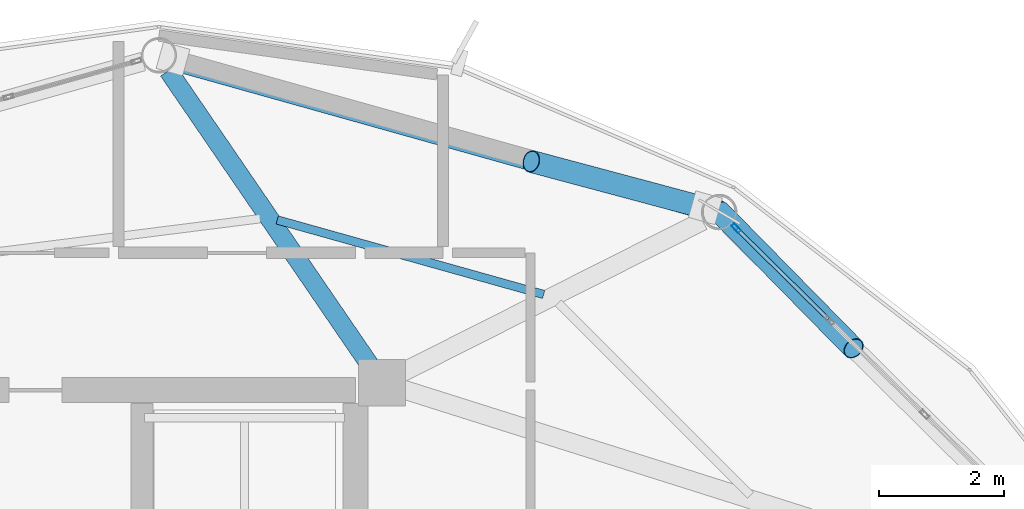
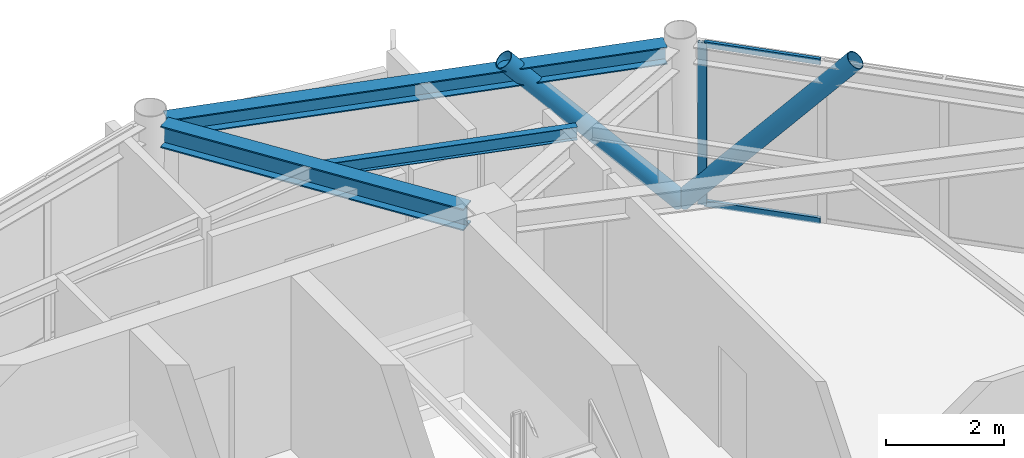
# One storey, part 18 of 26: 5 members, 3 beams, 1 element without a shape of its own.
"""IFC4 building model written with IfcOpenShell, lengths in metres."""

from ifc_helpers import new_model, si_unit, direction, frame, origin, origin_2d, place, context, subcontext, project, spatial, hollow_rectangle, hollow_circle, i_section, extrude, material, layer, layer_set, material_profile, profile_set, type_object, element, aggregate, save


model = new_model("IFC4")

# Units and contexts
model_context = context("Model", 3, precision=1e-05, world=origin(), true_north=direction((0.0, 1.0)))
body_context = subcontext(model_context, "Body", "Model", "MODEL_VIEW")
ifc_project = project(units=[si_unit("LENGTHUNIT", "METRE"), si_unit("AREAUNIT", "SQUARE_METRE"), si_unit("VOLUMEUNIT", "CUBIC_METRE"), si_unit("PLANEANGLEUNIT", "RADIAN"), si_unit("MASSUNIT", "GRAM", prefix="KILO")], contexts=[model_context])

# Site, building, storey
site_placement = place(None, origin())
site = spatial("IfcSite", under=ifc_project, at=site_placement, CompositionType="ELEMENT")
building_placement = place(site_placement, origin())
building = spatial("IfcBuilding", under=site, at=building_placement, Name="Varnakorn Sky Granary", CompositionType="ELEMENT")
storey_placement = place(building_placement, frame((0.0, 0.0, 270.60009765625)))
storey = spatial("IfcBuildingStorey", under=building, at=storey_placement, Name="L69", CompositionType="ELEMENT", Elevation=270.60009765625)

# Beams
ifc_material_1 = material(Name="Steel S355JR", Category="steel")
ifc_material_profile_1 = material_profile(ifc_material_1, i_section(OverallWidth=0.300048828125, OverallDepth=0.449951171875, WebThickness=0.013916015625, FlangeThickness=0.02587890625, at=origin_2d()), Name="HE 450 B")
ifc_profile_set_1 = profile_set([ifc_material_profile_1], Name="Steel S355JR")
beam_type_1 = type_object("IfcBeamType", Name="BM-RAD-Z5", PredefinedType="BEAM", material=ifc_profile_set_1)
beam_1_placement = place(storey_placement, frame((8.219482421875, 12.912841796875, 3.135009765625), z_axis=(-0.564868145877, 0.825181178756, 0.0), x_axis=(-0.825181178756, -0.564868145877, 0.0)))
element("IfcBeam", 1, at=beam_1_placement, inside=storey, type_object=beam_type_1, Name="Radial Floor Girder RG04 L69", PredefinedType="BEAM", context=body_context, shape_type="SweptSolid", body=[
    extrude(i_section(OverallWidth=0.300048828125, OverallDepth=0.449951171875, WebThickness=0.013916015625, FlangeThickness=0.02587890625, at=origin_2d()), origin(), (0.0, 0.0, 1.0), 5.700439453125),
])
ifc_material_profile_2 = material_profile(ifc_material_1, i_section(OverallWidth=0.135009765625, OverallDepth=0.27001953125, WebThickness=0.006591796875, FlangeThickness=0.01025390625, at=origin_2d()), Name="IPE 270")
ifc_profile_set_2 = profile_set([ifc_material_profile_2], Name="Steel S355JR")
beam_type_2 = type_object("IfcBeamType", Name="BM-SEC-Z5", PredefinedType="BEAM", material=ifc_profile_set_2)
beam_2_placement = place(storey_placement, frame((11.01220703125, 14.032470703125, 3.224853515625), z_axis=(-0.962988045242, 0.269544105335, 0.0), x_axis=(-0.269544105335, -0.962988045242, 0.0)))
element("IfcBeam", 2, at=beam_2_placement, inside=storey, type_object=beam_type_2, Name="Secondary Floor Chord Beam MSB03 L69", PredefinedType="BEAM", context=body_context, shape_type="SweptSolid", body=[
    extrude(i_section(OverallWidth=0.135009765625, OverallDepth=0.27001953125, WebThickness=0.006591796875, FlangeThickness=0.01025390625, at=origin_2d()), origin(), (0.0, 0.0, 1.0), 4.431884765625),
])
ifc_material_profile_3 = material_profile(ifc_material_1, i_section(OverallWidth=0.300048828125, OverallDepth=0.360107421875, WebThickness=0.012451171875, FlangeThickness=0.0224609375, at=origin_2d()), Name="HE 360 B")
ifc_profile_set_3 = profile_set([ifc_material_profile_3], Name="Steel S355JR")
beam_type_3 = type_object("IfcBeamType", Name="BM-SPD-Z5", PredefinedType="SPANDREL", material=ifc_profile_set_3)
beam_3_placement = place(storey_placement, frame((13.538330078125, 15.39990234375, 3.179931640625), z_axis=(-0.96289392895, 0.269880124482, 0.0), x_axis=(-0.269880124482, -0.96289392895, 0.0)))
element("IfcBeam", 3, at=beam_3_placement, inside=storey, type_object=beam_type_3, Name="Perimeter Spandrel Ring Beam RB03 L69", PredefinedType="SPANDREL", context=body_context, shape_type="SweptSolid", body=[
    extrude(i_section(OverallWidth=0.300048828125, OverallDepth=0.360107421875, WebThickness=0.012451171875, FlangeThickness=0.0224609375, at=origin_2d()), origin(), (0.0, 0.0, 1.0), 8.758544921875),
])

# Curtain wall, members
ifc_material_2 = material(Name="Anodised Bronze Aluminium Alloy 6063-T6", Category="aluminium")
ifc_layer = layer(ifc_material_2, 0.159912109375, Name="Anodised Bronze Aluminium Alloy 6063-T6")
ifc_layer_set = layer_set([ifc_layer], Name="Anodised Bronze Aluminium Alloy 6063-T6")
curtain_wall_type = type_object("IfcCurtainWallType", Name="CW-OFF-1", PredefinedType="USERDEFINED", material=ifc_layer_set)
curtain_wall_placement = place(storey_placement, origin())
curtain_wall = element("IfcCurtainWall", 4, at=curtain_wall_placement, inside=storey, type_object=curtain_wall_type, Name="Unitised Curtain Wall CW6 CW-L69-B02", ObjectType="CURTAIN WALL", PredefinedType="USERDEFINED")
ifc_material_profile_4 = material_profile(ifc_material_2, hollow_rectangle(XDim=0.06494140625, YDim=0.159912109375, WallThickness=0.00341796875, at=origin_2d()), Name="ALU MULL 65x160")
ifc_profile_set_4 = profile_set([ifc_material_profile_4], Name="Anodised Bronze Aluminium Alloy 6063-T6")
member_type_1 = type_object("IfcMemberType", Name="CW-OFF-1-MULL", PredefinedType="MULLION", material=ifc_profile_set_4)
member_1_placement = place(storey_placement, frame((14.091552734375, 15.0966796875, 0.0), z_axis=(0.0, 0.0, 1.0), x_axis=(0.702728935419, 0.711457689062, 0.0)))
member_1 = element("IfcMember", 5, at=member_1_placement, type_object=member_type_1, Name="CW6 mullion 1", PredefinedType="MULLION", context=body_context, shape_type="SweptSolid", body=[
    extrude(hollow_rectangle(XDim=0.06494140625, YDim=0.159912109375, WallThickness=0.00341796875, at=origin_2d()), origin(), (0.0, 0.0, 1.0), 3.35986328125),
])
ifc_material_profile_5 = material_profile(ifc_material_2, hollow_rectangle(XDim=0.06494140625, YDim=0.1201171875, WallThickness=0.00341796875, at=origin_2d()), Name="ALU TRAN 65x120")
ifc_profile_set_5 = profile_set([ifc_material_profile_5], Name="Anodised Bronze Aluminium Alloy 6063-T6")
member_type_2 = type_object("IfcMemberType", Name="CW-OFF-1-TRAN", PredefinedType="USERDEFINED", material=ifc_profile_set_5)
member_2_placement = place(storey_placement, frame((14.11474609375, 15.07373046875, 0.032470703125), z_axis=(0.711516757365, -0.702669128387, 0.0), x_axis=(0.702669128387, 0.711516757365, 0.0)))
member_2 = element("IfcMember", 6, at=member_2_placement, type_object=member_type_2, Name="CW6 transom 1.1", ObjectType="TRANSOM", PredefinedType="USERDEFINED", context=body_context, shape_type="SweptSolid", body=[
    extrude(hollow_rectangle(XDim=0.06494140625, YDim=0.1201171875, WallThickness=0.00341796875, at=origin_2d()), origin(), (0.0, 0.0, 1.0), 2.0419921875),
])
member_3_placement = place(storey_placement, frame((14.11474609375, 15.07373046875, 3.327392578125), z_axis=(0.711516757365, -0.702669128387, 0.0), x_axis=(0.702669128387, 0.711516757365, 0.0)))
member_3 = element("IfcMember", 7, at=member_3_placement, type_object=member_type_2, Name="CW6 transom 1.2", ObjectType="TRANSOM", PredefinedType="USERDEFINED", context=body_context, shape_type="SweptSolid", body=[
    extrude(hollow_rectangle(XDim=0.06494140625, YDim=0.1201171875, WallThickness=0.00341796875, at=origin_2d()), origin(), (0.0, 0.0, 1.0), 2.0419921875),
])
aggregate(curtain_wall, [member_1, member_2, member_3])

# Members
ifc_material_3 = material(Name="Steel S460M", Category="steel")
ifc_material_profile_6 = material_profile(ifc_material_3, hollow_circle(Radius=0.177734375, WallThickness=0.01416015625, at=origin_2d()), Name="CHS 355.6x14")
ifc_profile_set_6 = profile_set([ifc_material_profile_6], Name="Steel S460M")
member_type_3 = type_object("IfcMemberType", Name="MB-DIAG-T5", PredefinedType="BRACE", material=ifc_profile_set_6)
member_4_placement = place(storey_placement, frame((13.826904296875, 15.358154296875, 0.0), z_axis=(0.462363909436, -0.471139312649, 0.751164005612), x_axis=(0.713722408202, 0.700428671622, 0.0)))
element("IfcMember", 8, at=member_4_placement, inside=storey, type_object=member_type_3, Name="Perimeter CHS Diagrid Brace DG02 L69", PredefinedType="BRACE", context=body_context, shape_type="SweptSolid", body=[
    extrude(hollow_circle(Radius=0.177734375, WallThickness=0.01416015625, at=origin_2d()), origin(), (0.0, 0.0, 1.0), 4.64599609375),
])
member_5_placement = place(storey_placement, frame((13.826904296875, 15.358154296875, 0.0), z_axis=(-0.643962402719, 0.172137006347, 0.74544032285), x_axis=(-0.258242036384, -0.966080250623, 0.0)))
element("IfcMember", 9, at=member_5_placement, inside=storey, type_object=member_type_3, Name="Perimeter CHS Diagrid Brace DG03 L69", PredefinedType="BRACE", context=body_context, shape_type="SweptSolid", body=[
    extrude(hollow_circle(Radius=0.177734375, WallThickness=0.01416015625, at=origin_2d()), origin(), (0.0, 0.0, 1.0), 4.681884765625),
])

save(model, "model.ifc")
